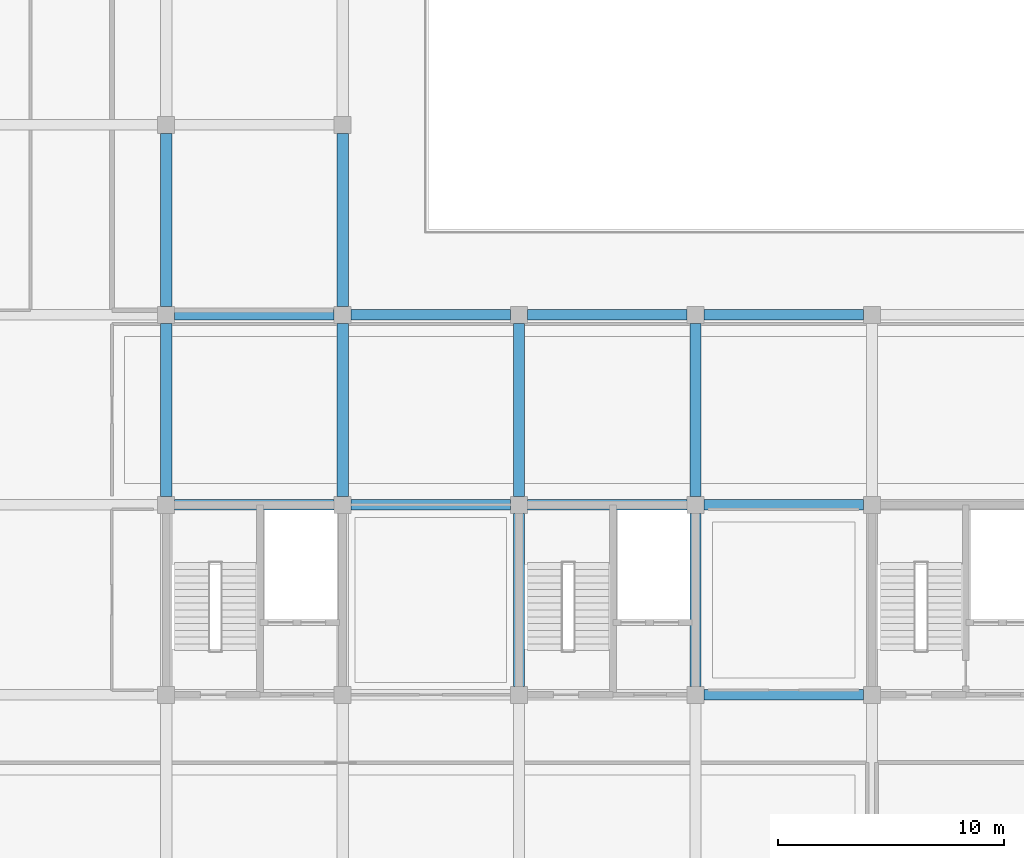
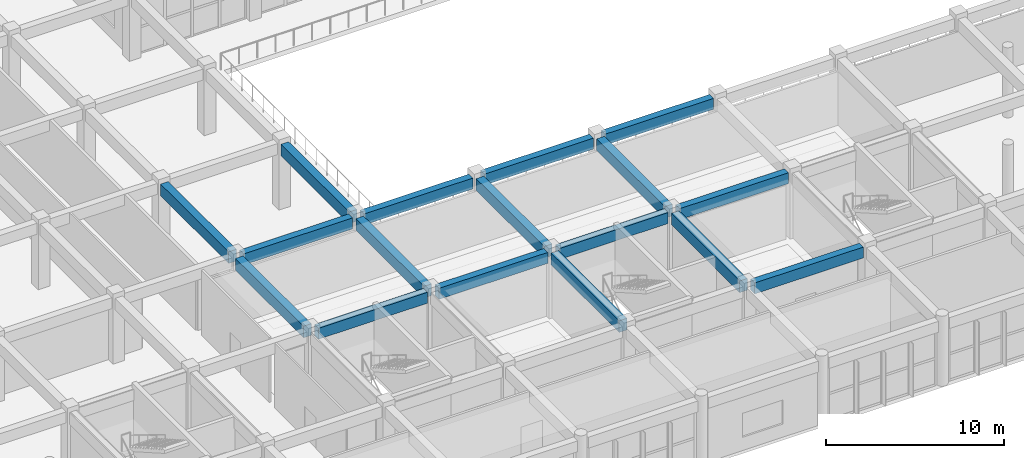
# One storey, part 33 of 175: 17 beams.
"""IFC4 building model written with IfcOpenShell, lengths in metres."""

from ifc_helpers import new_model, si_unit, direction, frame, origin, origin_2d, place, context, subcontext, project, spatial, rectangle, extrude, material, material_profile, profile_set, type_object, element, save


model = new_model("IFC4")

# Units and contexts
model_context = context("Model", 3, precision=1e-05, world=origin(), true_north=direction((0.0, 1.0)))
body_context = subcontext(model_context, "Body", "Model", "MODEL_VIEW")
ifc_project = project(units=[si_unit("LENGTHUNIT", "METRE"), si_unit("AREAUNIT", "SQUARE_METRE"), si_unit("VOLUMEUNIT", "CUBIC_METRE"), si_unit("PLANEANGLEUNIT", "RADIAN"), si_unit("MASSUNIT", "GRAM", prefix="KILO")], contexts=[model_context])

# Site, building, storey
site_placement = place(None, origin())
site = spatial("IfcSite", under=ifc_project, at=site_placement, CompositionType="ELEMENT")
building_placement = place(site_placement, origin())
building = spatial("IfcBuilding", under=site, at=building_placement, Name="Zizhar Promenade General Hospital", CompositionType="ELEMENT")
storey_placement = place(building_placement, frame((0.0, 0.0, 4.800048828125)))
storey = spatial("IfcBuildingStorey", under=building, at=storey_placement, Name="L01", CompositionType="ELEMENT", Elevation=4.800048828125)

# Beams
ifc_material_1 = material(Name="Concrete C35/45", Category="concrete")
ifc_material_profile_1 = material_profile(ifc_material_1, rectangle(XDim=0.449951171875, YDim=0.75, at=origin_2d()))
ifc_profile_set_1 = profile_set([ifc_material_profile_1], Name="Concrete C35/45")
beam_type_1 = type_object("IfcBeamType", Name="BM-RC-450x750", PredefinedType="BEAM", material=ifc_profile_set_1)
for number, where, z_axis, x_axis, name in (
    (1, (62.77490234375, 16.800048828125, 4.094970703125), (1.0, 0.0, 0.0), (0.0, 1.0, 0.0), "Grid Beam X L01 (8-2)"),
    (2, (62.77490234375, 25.199951171875, 4.094970703125), (1.0, 0.0, 0.0), (0.0, 1.0, 0.0), "Grid Beam X L01 (8-3)"),
    (3, (70.574951171875, 16.800048828125, 4.094970703125), (1.0, 0.0, 0.0), (0.0, 1.0, 0.0), "Grid Beam X L01 (9-2)"),
    (4, (70.574951171875, 25.199951171875, 4.094970703125), (1.0, 0.0, 0.0), (0.0, 1.0, 0.0), "Grid Beam X L01 (9-3)"),
    (5, (78.375, 16.800048828125, 4.094970703125), (1.0, 0.0, 0.0), (0.0, 1.0, 0.0), "Grid Beam X L01 (10-2)"),
    (6, (78.375, 25.199951171875, 4.094970703125), (1.0, 0.0, 0.0), (0.0, 1.0, 0.0), "Grid Beam X L01 (10-3)"),
    (7, (86.175048828125, 8.39990234375, 4.094970703125), (1.0, 0.0, 0.0), (0.0, 1.0, 0.0), "Grid Beam X L01 (11-1)"),
    (8, (86.175048828125, 16.800048828125, 4.094970703125), (1.0, 0.0, 0.0), (0.0, 1.0, 0.0), "Grid Beam X L01 (11-2)"),
    (9, (86.175048828125, 25.199951171875, 4.094970703125), (1.0, 0.0, 0.0), (0.0, 1.0, 0.0), "Grid Beam X L01 (11-3)"),
):
    element("IfcBeam", number, at=place(storey_placement, frame(where, z_axis=z_axis, x_axis=x_axis)), inside=storey, type_object=beam_type_1, Name=name, PredefinedType="BEAM", context=body_context, shape_type="SweptSolid", body=[
        extrude(rectangle(XDim=0.449951171875, YDim=0.75, at=origin_2d()), origin(), (0.0, 0.0, 1.0), 7.050048828125),
    ])
ifc_material_2 = material(Name="Concrete C35/45", Category="concrete")
ifc_material_profile_2 = material_profile(ifc_material_2, rectangle(XDim=0.5, YDim=0.800048828125, at=origin_2d()))
ifc_profile_set_2 = profile_set([ifc_material_profile_2], Name="Concrete C35/45")
beam_type_2 = type_object("IfcBeamType", Name="BM-RC-500x800", PredefinedType="BEAM", material=ifc_profile_set_2)
beam_1_placement = place(storey_placement, frame((62.39990234375, 17.175048828125, 4.070068359375), z_axis=(0.0, 1.0, 0.0), x_axis=(-1.0, 0.0, 0.0)))
element("IfcBeam", 10, at=beam_1_placement, inside=storey, type_object=beam_type_2, Name="Grid Beam Y L01 (8-2)", PredefinedType="BEAM", context=body_context, shape_type="SweptSolid", body=[
    extrude(rectangle(XDim=0.5, YDim=0.800048828125, at=origin_2d()), origin(), (0.0, 0.0, 1.0), 7.64990234375),
])
beam_2_placement = place(storey_placement, frame((62.39990234375, 25.574951171875, 4.070068359375), z_axis=(0.0, 1.0, 0.0), x_axis=(-1.0, 0.0, 0.0)))
element("IfcBeam", 11, at=beam_2_placement, inside=storey, type_object=beam_type_2, Name="Grid Beam Y L01 (8-3)", PredefinedType="BEAM", context=body_context, shape_type="SweptSolid", body=[
    extrude(rectangle(XDim=0.5, YDim=0.800048828125, at=origin_2d()), origin(), (0.0, 0.0, 1.0), 7.650146484375),
])
beam_3_placement = place(storey_placement, frame((70.199951171875, 17.175048828125, 4.070068359375), z_axis=(0.0, 1.0, 0.0), x_axis=(-1.0, 0.0, 0.0)))
element("IfcBeam", 12, at=beam_3_placement, inside=storey, type_object=beam_type_2, Name="Grid Beam Y L01 (9-2)", PredefinedType="BEAM", context=body_context, shape_type="SweptSolid", body=[
    extrude(rectangle(XDim=0.5, YDim=0.800048828125, at=origin_2d()), origin(), (0.0, 0.0, 1.0), 7.64990234375),
])
for number, where, z_axis, x_axis, name in (
    (13, (70.199951171875, 25.574951171875, 4.070068359375), (0.0, 1.0, 0.0), (-1.0, 0.0, 0.0), "Grid Beam Y L01 (9-3)"),
    (14, (78.0, 8.77490234375, 4.070068359375), (0.0, 1.0, 0.0), (-1.0, 0.0, 0.0), "Grid Beam Y L01 (10-1)"),
):
    element("IfcBeam", number, at=place(storey_placement, frame(where, z_axis=z_axis, x_axis=x_axis)), inside=storey, type_object=beam_type_2, Name=name, PredefinedType="BEAM", context=body_context, shape_type="SweptSolid", body=[
        extrude(rectangle(XDim=0.5, YDim=0.800048828125, at=origin_2d()), origin(), (0.0, 0.0, 1.0), 7.650146484375),
    ])
beam_4_placement = place(storey_placement, frame((78.0, 17.175048828125, 4.070068359375), z_axis=(0.0, 1.0, 0.0), x_axis=(-1.0, 0.0, 0.0)))
element("IfcBeam", 15, at=beam_4_placement, inside=storey, type_object=beam_type_2, Name="Grid Beam Y L01 (10-2)", PredefinedType="BEAM", context=body_context, shape_type="SweptSolid", body=[
    extrude(rectangle(XDim=0.5, YDim=0.800048828125, at=origin_2d()), origin(), (0.0, 0.0, 1.0), 7.64990234375),
])
beam_5_placement = place(storey_placement, frame((85.800048828125, 8.77490234375, 4.070068359375), z_axis=(0.0, 1.0, 0.0), x_axis=(-1.0, 0.0, 0.0)))
element("IfcBeam", 16, at=beam_5_placement, inside=storey, type_object=beam_type_2, Name="Grid Beam Y L01 (11-1)", PredefinedType="BEAM", context=body_context, shape_type="SweptSolid", body=[
    extrude(rectangle(XDim=0.5, YDim=0.800048828125, at=origin_2d()), origin(), (0.0, 0.0, 1.0), 7.650146484375),
])
beam_6_placement = place(storey_placement, frame((85.800048828125, 17.175048828125, 4.070068359375), z_axis=(0.0, 1.0, 0.0), x_axis=(-1.0, 0.0, 0.0)))
element("IfcBeam", 17, at=beam_6_placement, inside=storey, type_object=beam_type_2, Name="Grid Beam Y L01 (11-2)", PredefinedType="BEAM", context=body_context, shape_type="SweptSolid", body=[
    extrude(rectangle(XDim=0.5, YDim=0.800048828125, at=origin_2d()), origin(), (0.0, 0.0, 1.0), 7.64990234375),
])

save(model, "model.ifc")
